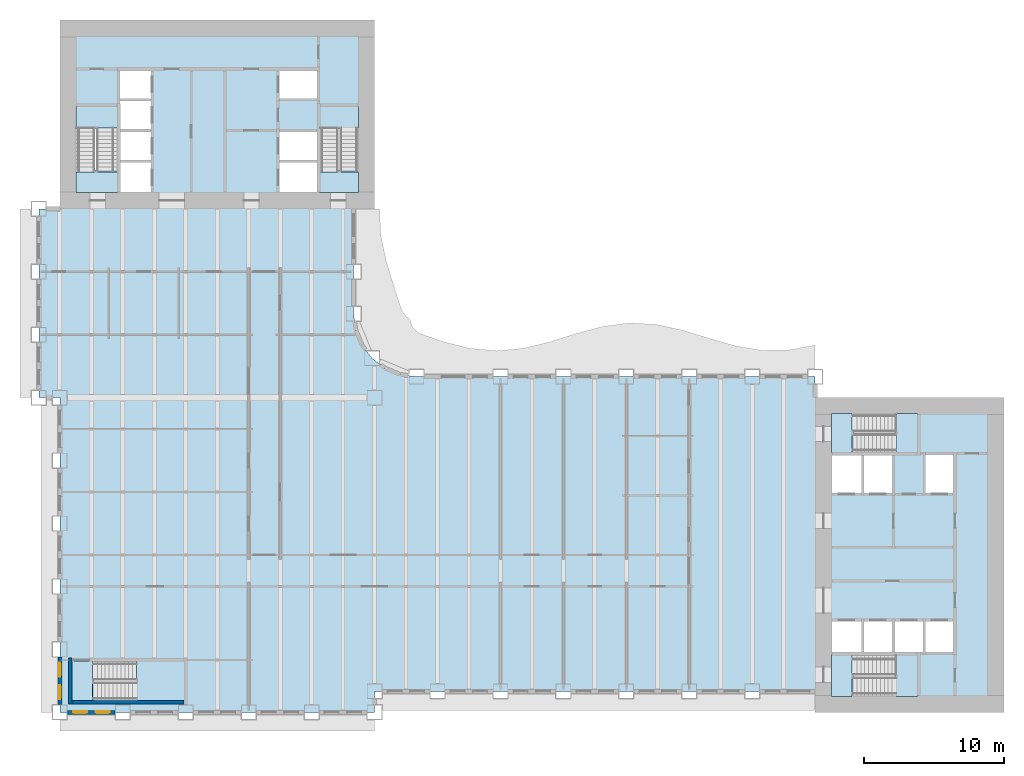
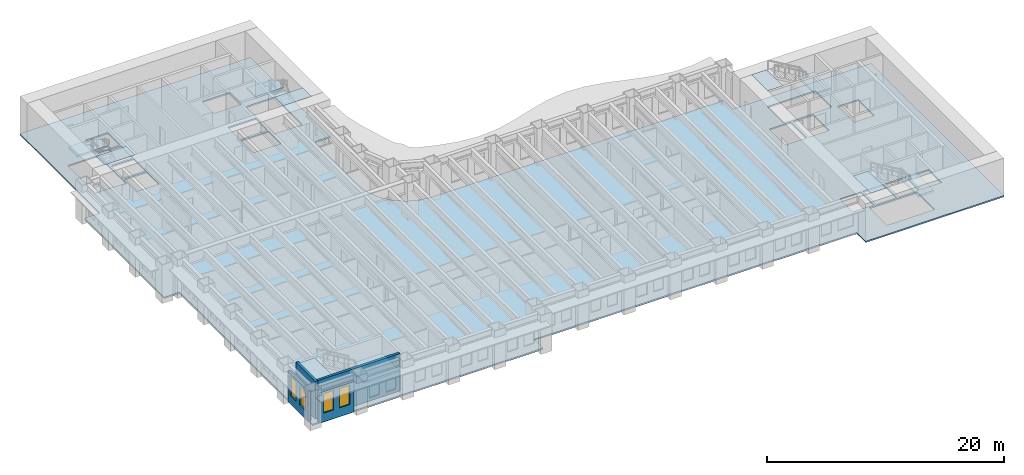
# One storey, part 2 of 15: 11 slabs, 4 walls, 4 windows, 4 openings, 5 elements without a shape of their own.
"""IFC4 building model written with IfcOpenShell, lengths in metres."""

from ifc_helpers import new_model, si_unit, direction, frame, frame_2d, origin, place, context, subcontext, project, spatial, polyline, rectangle, outline, extrude, material, layer, layer_set, type_object, element, fill, aggregate, save


model = new_model("IFC4")

# Units and contexts
model_context = context("Model", 3, precision=1e-05, world=origin(), true_north=direction((0.0, 1.0)))
body_context = subcontext(model_context, "Body", "Model", "MODEL_VIEW")
ifc_project = project(units=[si_unit("LENGTHUNIT", "METRE"), si_unit("AREAUNIT", "SQUARE_METRE"), si_unit("VOLUMEUNIT", "CUBIC_METRE"), si_unit("PLANEANGLEUNIT", "RADIAN"), si_unit("MASSUNIT", "GRAM", prefix="KILO")], contexts=[model_context])

# Site, building, storey
site_placement = place(None, origin())
site = spatial("IfcSite", under=ifc_project, at=site_placement, CompositionType="ELEMENT")
building_placement = place(site_placement, origin())
building = spatial("IfcBuilding", under=site, at=building_placement, Name="Sennacour Bend Tower", CompositionType="ELEMENT")
storey_placement = place(building_placement, frame((0.0, 0.0, 61.0)))
storey = spatial("IfcBuildingStorey", under=building, at=storey_placement, Name="L13", CompositionType="ELEMENT", Elevation=61.0)

# Slabs
ifc_material_1 = material(Name="Concrete C30/37", Category="concrete")
ifc_layer_1 = layer(ifc_material_1, 0.14990234375, Name="Concrete C30/37", Category="concrete")
ifc_layer_set_1 = layer_set([ifc_layer_1], Name="Concrete C30/37")
slab_type_1 = type_object("IfcSlabType", Name="Floor slab 150", PredefinedType="FLOOR", material=ifc_layer_set_1)
slab_1_placement = place(storey_placement, frame((0.0, 0.0, -0.14990234375)))
element("IfcSlab", 1, at=slab_1_placement, inside=storey, type_object=slab_type_1, Name="Floor slab L13-01", PredefinedType="FLOOR", context=body_context, shape_type="SweptSolid", body=[
    extrude(outline(polyline([(0.0, 22.5), (-1.5, 22.5), (-1.5, 36.0), (0.0, 36.0), (0.0, 49.5), (22.5, 49.5), (22.5, 36.0), (21.0, 36.0), (21.0, 28.5), (21.1533203125, 27.335205078125), (21.602783203125, 26.25), (22.318115234375, 25.318115234375), (23.25, 24.602783203125), (24.335205078125, 24.1533203125), (25.5, 24.0), (54.0, 24.0), (54.0, 22.5), (67.5, 22.5), (67.5, 0.0), (54.0, 0.0), (54.0, 1.5), (22.5, 1.5), (22.5, 0.0), (0.0, 0.0), (0.0, 22.5)]), holes=[polyline([(8.800048828125, 0.949951171875), (8.800048828125, 3.5), (2.429931640625, 3.5), (2.429931640625, 0.949951171875), (8.800048828125, 0.949951171875)]), polyline([(6.5, 37.199951171875), (6.5, 39.300048828125), (4.300048828125, 39.300048828125), (4.300048828125, 37.199951171875), (6.5, 37.199951171875)]), polyline([(18.39990234375, 37.199951171875), (18.39990234375, 39.300048828125), (15.699951171875, 39.300048828125), (15.699951171875, 37.199951171875), (18.39990234375, 37.199951171875)]), polyline([(6.5, 39.5), (6.5, 41.5), (4.300048828125, 41.5), (4.300048828125, 39.5), (6.5, 39.5)]), polyline([(18.39990234375, 39.5), (18.39990234375, 41.5), (15.699951171875, 41.5), (15.699951171875, 39.5), (18.39990234375, 39.5)]), polyline([(4.125, 38.72998046875), (4.125, 43.39990234375), (1.14990234375, 43.39990234375), (1.14990234375, 38.72998046875), (4.125, 38.72998046875)]), polyline([(21.35009765625, 38.72998046875), (21.35009765625, 43.39990234375), (18.574951171875, 43.39990234375), (18.574951171875, 38.72998046875), (21.35009765625, 38.72998046875)]), polyline([(4.300048828125, 41.699951171875), (6.5, 41.699951171875), (6.5, 43.699951171875), (4.300048828125, 43.699951171875), (4.300048828125, 41.699951171875)]), polyline([(4.300048828125, 43.89990234375), (6.5, 43.89990234375), (6.5, 45.89990234375), (4.300048828125, 45.89990234375), (4.300048828125, 43.89990234375)]), polyline([(18.39990234375, 43.89990234375), (18.39990234375, 45.89990234375), (15.699951171875, 45.89990234375), (15.699951171875, 43.89990234375), (18.39990234375, 43.89990234375)]), polyline([(61.39990234375, 1.14990234375), (61.39990234375, 4.125), (56.72998046875, 4.125), (56.72998046875, 1.14990234375), (61.39990234375, 1.14990234375)]), polyline([(57.300048828125, 4.300048828125), (57.300048828125, 6.5), (55.199951171875, 6.5), (55.199951171875, 4.300048828125), (57.300048828125, 4.300048828125)]), polyline([(57.5, 4.300048828125), (59.5, 4.300048828125), (59.5, 6.5), (57.5, 6.5), (57.5, 4.300048828125)]), polyline([(59.699951171875, 4.300048828125), (61.699951171875, 4.300048828125), (61.699951171875, 6.5), (59.699951171875, 6.5), (59.699951171875, 4.300048828125)]), polyline([(63.89990234375, 4.300048828125), (63.89990234375, 6.5), (61.89990234375, 6.5), (61.89990234375, 4.300048828125), (63.89990234375, 4.300048828125)]), polyline([(57.300048828125, 15.699951171875), (57.300048828125, 18.39990234375), (55.199951171875, 18.39990234375), (55.199951171875, 15.699951171875), (57.300048828125, 15.699951171875)]), polyline([(59.5, 15.699951171875), (59.5, 18.39990234375), (57.5, 18.39990234375), (57.5, 15.699951171875), (59.5, 15.699951171875)]), polyline([(61.89990234375, 15.699951171875), (63.89990234375, 15.699951171875), (63.89990234375, 18.39990234375), (61.89990234375, 18.39990234375), (61.89990234375, 15.699951171875)]), polyline([(56.72998046875, 18.574951171875), (61.39990234375, 18.574951171875), (61.39990234375, 21.35009765625), (56.72998046875, 21.35009765625), (56.72998046875, 18.574951171875)])]), origin(), (0.0, 0.0, 1.0), 0.14990234375),
])
ifc_material_2 = material(Name="Concrete C40/50", Category="concrete")
ifc_layer_2 = layer(ifc_material_2, 0.034912109375, Name="Concrete C40/50", Category="concrete")
ifc_layer_set_2 = layer_set([ifc_layer_2], Name="Concrete C40/50")
slab_type_2 = type_object("IfcSlabType", Name="Stair arrival nib 35", PredefinedType="FLOOR", material=ifc_layer_set_2)
slab_2_placement = place(storey_placement, frame((0.0, 0.0, 3.815185546875)))
element("IfcSlab", 2, at=slab_2_placement, inside=storey, type_object=slab_type_2, Name="L13 SA1 stair arrival nib", PredefinedType="FLOOR", context=body_context, shape_type="SweptSolid", body=[
    extrude(outline(polyline([(56.64208984375, 4.125), (55.14990234375, 4.125), (55.14990234375, 1.14990234375), (56.64208984375, 1.14990234375), (56.64208984375, 4.125)])), origin(), (0.0, 0.0, 1.0), 0.034912109375),
])
slab_3_placement = place(storey_placement, frame((0.0, 0.0, 3.815185546875)))
element("IfcSlab", 3, at=slab_3_placement, inside=storey, type_object=slab_type_2, Name="L13 SA2 stair arrival nib", PredefinedType="FLOOR", context=body_context, shape_type="SweptSolid", body=[
    extrude(outline(polyline([(56.64208984375, 21.35009765625), (55.14990234375, 21.35009765625), (55.14990234375, 18.574951171875), (56.64208984375, 18.574951171875), (56.64208984375, 21.35009765625)])), origin(), (0.0, 0.0, 1.0), 0.034912109375),
])
slab_4_placement = place(storey_placement, frame((0.0, 0.0, 3.815185546875)))
element("IfcSlab", 4, at=slab_4_placement, inside=storey, type_object=slab_type_2, Name="L13 SB1 stair arrival nib", PredefinedType="FLOOR", context=body_context, shape_type="SweptSolid", body=[
    extrude(outline(polyline([(1.14990234375, 38.64208984375), (1.14990234375, 37.14990234375), (4.125, 37.14990234375), (4.125, 38.64208984375), (1.14990234375, 38.64208984375)])), origin(), (0.0, 0.0, 1.0), 0.034912109375),
])
slab_5_placement = place(storey_placement, frame((0.0, 0.0, 3.815185546875)))
element("IfcSlab", 5, at=slab_5_placement, inside=storey, type_object=slab_type_2, Name="L13 SB2 stair arrival nib", PredefinedType="FLOOR", context=body_context, shape_type="SweptSolid", body=[
    extrude(outline(polyline([(18.574951171875, 38.64208984375), (18.574951171875, 37.14990234375), (21.35009765625, 37.14990234375), (21.35009765625, 38.64208984375), (18.574951171875, 38.64208984375)])), origin(), (0.0, 0.0, 1.0), 0.034912109375),
])
slab_6_placement = place(storey_placement, frame((0.0, 0.0, 3.815185546875)))
element("IfcSlab", 6, at=slab_6_placement, inside=storey, type_object=slab_type_2, Name="L13 SK1 stair arrival nib", PredefinedType="FLOOR", context=body_context, shape_type="SweptSolid", body=[
    extrude(outline(polyline([(2.342041015625, 3.675048828125), (0.800048828125, 3.675048828125), (0.800048828125, 0.800048828125), (2.342041015625, 0.800048828125), (2.342041015625, 3.675048828125)])), origin(), (0.0, 0.0, 1.0), 0.034912109375),
])

# Stair, slab
stair_type = type_object("IfcStairType", Name="ST-DOGLEG", PredefinedType="HALF_TURN_STAIR", material=ifc_material_2)
stair_1_placement = place(storey_placement, origin())
stair_1 = element("IfcStair", 7, at=stair_1_placement, inside=storey, type_object=stair_type, Name="L13 Exit stair A1", PredefinedType="HALF_TURN_STAIR")
ifc_layer_3 = layer(ifc_material_2, 0.199951171875, Name="Concrete C40/50", Category="concrete")
ifc_layer_set_3 = layer_set([ifc_layer_3], Name="Concrete C40/50")
slab_type_3 = type_object("IfcSlabType", Name="Stair landing 200", PredefinedType="LANDING", material=ifc_layer_set_3)
slab_7_placement = place(storey_placement, frame((0.0, 0.0, 1.800048828125)))
slab_7 = element("IfcSlab", 8, at=slab_7_placement, type_object=slab_type_3, Name="SA1 landing 1", PredefinedType="LANDING", context=body_context, shape_type="SweptSolid", body=[
    extrude(outline(polyline([(59.780029296875, 1.14990234375), (61.324951171875, 1.14990234375), (61.324951171875, 4.125), (59.780029296875, 4.125), (59.780029296875, 1.14990234375)])), origin(), (0.0, 0.0, 1.0), 0.199951171875),
])
aggregate(stair_1, [slab_7])

stair_2_placement = place(storey_placement, origin())
stair_2 = element("IfcStair", 9, at=stair_2_placement, inside=storey, type_object=stair_type, Name="L13 Exit stair A2", PredefinedType="HALF_TURN_STAIR")
slab_8_placement = place(storey_placement, frame((0.0, 0.0, 1.800048828125)))
slab_8 = element("IfcSlab", 10, at=slab_8_placement, type_object=slab_type_3, Name="SA2 landing 1", PredefinedType="LANDING", context=body_context, shape_type="SweptSolid", body=[
    extrude(outline(polyline([(59.780029296875, 18.574951171875), (61.324951171875, 18.574951171875), (61.324951171875, 21.35009765625), (59.780029296875, 21.35009765625), (59.780029296875, 18.574951171875)])), origin(), (0.0, 0.0, 1.0), 0.199951171875),
])
aggregate(stair_2, [slab_8])

stair_3_placement = place(storey_placement, origin())
stair_3 = element("IfcStair", 11, at=stair_3_placement, inside=storey, type_object=stair_type, Name="L13 Exit stair B1", PredefinedType="HALF_TURN_STAIR")
slab_9_placement = place(storey_placement, frame((0.0, 0.0, 1.800048828125)))
slab_9 = element("IfcSlab", 12, at=slab_9_placement, type_object=slab_type_3, Name="SB1 landing 1", PredefinedType="LANDING", context=body_context, shape_type="SweptSolid", body=[
    extrude(outline(polyline([(1.14990234375, 41.780029296875), (4.125, 41.780029296875), (4.125, 43.324951171875), (1.14990234375, 43.324951171875), (1.14990234375, 41.780029296875)])), origin(), (0.0, 0.0, 1.0), 0.199951171875),
])
aggregate(stair_3, [slab_9])

stair_4_placement = place(storey_placement, origin())
stair_4 = element("IfcStair", 13, at=stair_4_placement, inside=storey, type_object=stair_type, Name="L13 Exit stair B2", PredefinedType="HALF_TURN_STAIR")
slab_10_placement = place(storey_placement, frame((0.0, 0.0, 1.800048828125)))
slab_10 = element("IfcSlab", 14, at=slab_10_placement, type_object=slab_type_3, Name="SB2 landing 1", PredefinedType="LANDING", context=body_context, shape_type="SweptSolid", body=[
    extrude(outline(polyline([(18.574951171875, 41.780029296875), (21.35009765625, 41.780029296875), (21.35009765625, 43.324951171875), (18.574951171875, 43.324951171875), (18.574951171875, 41.780029296875)])), origin(), (0.0, 0.0, 1.0), 0.199951171875),
])
aggregate(stair_4, [slab_10])

stair_5_placement = place(storey_placement, origin())
stair_5 = element("IfcStair", 15, at=stair_5_placement, inside=storey, type_object=stair_type, Name="L13 Exit stair K1", PredefinedType="HALF_TURN_STAIR")
slab_11_placement = place(storey_placement, frame((0.0, 0.0, 1.800048828125)))
slab_11 = element("IfcSlab", 16, at=slab_11_placement, type_object=slab_type_3, Name="SK1 landing 1", PredefinedType="LANDING", context=body_context, shape_type="SweptSolid", body=[
    extrude(outline(polyline([(5.47998046875, 0.800048828125), (8.925048828125, 0.800048828125), (8.925048828125, 3.675048828125), (5.47998046875, 3.675048828125), (5.47998046875, 0.800048828125)])), origin(), (0.0, 0.0, 1.0), 0.199951171875),
])
aggregate(stair_5, [slab_11])

# Wall, openings, windows
ifc_material_3 = material(Name="Warm limestone cladding", Category="masonry")
ifc_layer_4 = layer(ifc_material_3, 0.050048828125, Name="Warm limestone cladding", Category="masonry")
ifc_material_4 = material(Name="Precast concrete C40/50", Category="concrete")
ifc_layer_5 = layer(ifc_material_4, 0.25, Name="Precast concrete C40/50", Category="concrete")
ifc_layer_set_4 = layer_set([ifc_layer_4, ifc_layer_5], Name="Precast concrete C40/50 with limestone cladding")
wall_type_1 = type_object("IfcWallType", Name="STONE-CLAD PRECAST SPANDREL 300", PredefinedType="STANDARD", material=ifc_layer_set_4)
wall_1_placement = place(storey_placement, frame((0.550048828125, 0.0, 0.0), z_axis=(0.0, 0.0, 1.0), x_axis=(1.0, 0.0, 0.0)))
wall_1 = element("IfcWall", 17, at=wall_1_placement, inside=storey, type_object=wall_type_1, Name="Stone spandrel and pier wall L13 00.00", PredefinedType="STANDARD", context=body_context, shape_type="SweptSolid", body=[
    extrude(rectangle(XDim=3.39990234375, YDim=0.300048828125, at=frame_2d((1.699951171875, 0.0))), origin(), (0.0, 0.0, 1.0), 3.14404296875),
])
opening_1_placement = place(wall_1_placement, frame((0.39990234375, 0.0, 0.89990234375)))
opening_1 = element("IfcOpeningElement", 18, at=opening_1_placement, cuts=wall_1, Name="Opening W8", PredefinedType="OPENING", context=body_context, shape_type="SweptSolid", body=[
    extrude(rectangle(XDim=1.0, YDim=2.0, at=frame_2d((0.5, 1.0))), frame((0.0, 0.16015625, 0.0), z_axis=(0.0, -1.0, 0.0), x_axis=(1.0, 0.0, 0.0)), (0.0, 0.0, 1.0), 0.320068359375),
])
opening_2_placement = place(wall_1_placement, frame((2.0, 0.0, 0.89990234375)))
opening_2 = element("IfcOpeningElement", 19, at=opening_2_placement, cuts=wall_1, Name="Opening W8", PredefinedType="OPENING", context=body_context, shape_type="SweptSolid", body=[
    extrude(rectangle(XDim=1.0, YDim=2.0, at=frame_2d((0.5, 1.0))), frame((0.0, 0.16015625, 0.0), z_axis=(0.0, -1.0, 0.0), x_axis=(1.0, 0.0, 0.0)), (0.0, 0.0, 1.0), 0.320068359375),
])
ifc_material_5 = material(Name="Clear low-emissivity glass", Category="glass")
window_type = type_object("IfcWindowType", Name="WIN-RIBBON-1000x2000", PartitioningType="SINGLE_PANEL", PredefinedType="WINDOW", material=ifc_material_5)
window_1_placement = place(opening_1_placement, origin())
window_1 = element("IfcWindow", 20, at=window_1_placement, inside=storey, type_object=window_type, Name="Ribbon window L13 00.00.0", OverallHeight=2.0, OverallWidth=1.0, PartitioningType="SINGLE_PANEL", PredefinedType="WINDOW", context=body_context, shape_type="SweptSolid", body=[
    extrude(rectangle(XDim=1.0, YDim=2.0, at=frame_2d((0.5, 1.0))), frame((0.0, 0.030029296875, 0.0), z_axis=(0.0, -1.0, 0.0), x_axis=(1.0, 0.0, 0.0)), (0.0, 0.0, 1.0), 0.06005859375),
])
fill(opening_1, window_1)
window_2_placement = place(opening_2_placement, origin())
window_2 = element("IfcWindow", 21, at=window_2_placement, inside=storey, type_object=window_type, Name="Ribbon window L13 00.00.1", OverallHeight=2.0, OverallWidth=1.0, PartitioningType="SINGLE_PANEL", PredefinedType="WINDOW", context=body_context, shape_type="SweptSolid", body=[
    extrude(rectangle(XDim=1.0, YDim=2.0, at=frame_2d((0.5, 1.0))), frame((0.0, 0.030029296875, 0.0), z_axis=(0.0, -1.0, 0.0), x_axis=(1.0, 0.0, 0.0)), (0.0, 0.0, 1.0), 0.06005859375),
])
fill(opening_2, window_2)

wall_2_placement = place(storey_placement, frame((0.0, 3.949951171875, 0.0), z_axis=(0.0, 0.0, 1.0), x_axis=(0.0, -1.0, 0.0)))
wall_2 = element("IfcWall", 22, at=wall_2_placement, inside=storey, type_object=wall_type_1, Name="Stone spandrel and pier wall L13 23.04", PredefinedType="STANDARD", context=body_context, shape_type="SweptSolid", body=[
    extrude(rectangle(XDim=3.39990234375, YDim=0.300048828125, at=frame_2d((1.699951171875, 0.0))), origin(), (0.0, 0.0, 1.0), 3.14404296875),
])
opening_3_placement = place(wall_2_placement, frame((0.39990234375, 0.0, 0.89990234375)))
opening_3 = element("IfcOpeningElement", 23, at=opening_3_placement, cuts=wall_2, Name="Opening W8", PredefinedType="OPENING", context=body_context, shape_type="SweptSolid", body=[
    extrude(rectangle(XDim=1.0, YDim=2.0, at=frame_2d((0.5, 1.0))), frame((0.0, 0.16015625, 0.0), z_axis=(0.0, -1.0, 0.0), x_axis=(1.0, 0.0, 0.0)), (0.0, 0.0, 1.0), 0.320068359375),
])
opening_4_placement = place(wall_2_placement, frame((2.0, 0.0, 0.89990234375)))
opening_4 = element("IfcOpeningElement", 24, at=opening_4_placement, cuts=wall_2, Name="Opening W8", PredefinedType="OPENING", context=body_context, shape_type="SweptSolid", body=[
    extrude(rectangle(XDim=1.0, YDim=2.0, at=frame_2d((0.5, 1.0))), frame((0.0, 0.16015625, 0.0), z_axis=(0.0, -1.0, 0.0), x_axis=(1.0, 0.0, 0.0)), (0.0, 0.0, 1.0), 0.320068359375),
])
window_3_placement = place(opening_3_placement, origin())
window_3 = element("IfcWindow", 25, at=window_3_placement, inside=storey, type_object=window_type, Name="Ribbon window L13 23.04.0", OverallHeight=2.0, OverallWidth=1.0, PartitioningType="SINGLE_PANEL", PredefinedType="WINDOW", context=body_context, shape_type="SweptSolid", body=[
    extrude(rectangle(XDim=1.0, YDim=2.0, at=frame_2d((0.5, 1.0))), frame((0.0, 0.030029296875, 0.0), z_axis=(0.0, -1.0, 0.0), x_axis=(1.0, 0.0, 0.0)), (0.0, 0.0, 1.0), 0.06005859375),
])
fill(opening_3, window_3)
window_4_placement = place(opening_4_placement, origin())
window_4 = element("IfcWindow", 26, at=window_4_placement, inside=storey, type_object=window_type, Name="Ribbon window L13 23.04.1", OverallHeight=2.0, OverallWidth=1.0, PartitioningType="SINGLE_PANEL", PredefinedType="WINDOW", context=body_context, shape_type="SweptSolid", body=[
    extrude(rectangle(XDim=1.0, YDim=2.0, at=frame_2d((0.5, 1.0))), frame((0.0, 0.030029296875, 0.0), z_axis=(0.0, -1.0, 0.0), x_axis=(1.0, 0.0, 0.0)), (0.0, 0.0, 1.0), 0.06005859375),
])
fill(opening_4, window_4)

# Walls
ifc_material_6 = material(Name="Concrete C60/75", Category="concrete")
ifc_layer_6 = layer(ifc_material_6, 0.25, Name="Concrete C60/75", Category="concrete")
ifc_layer_set_5 = layer_set([ifc_layer_6], Name="Concrete C60/75")
wall_type_2 = type_object("IfcWallType", Name="Stair wall 250", PredefinedType="SHEAR", material=ifc_layer_set_5)
wall_3_placement = place(storey_placement, frame((0.72509765625, 0.60009765625, 0.0), z_axis=(0.0, 0.0, 1.0), x_axis=(0.0, 1.0, 0.0)))
element("IfcWall", 27, at=wall_3_placement, inside=storey, type_object=wall_type_2, Name="P-L13-W003", PredefinedType="SHEAR", context=body_context, shape_type="SweptSolid", body=[
    extrude(rectangle(XDim=3.27490234375, YDim=0.25, at=frame_2d((1.637451171875, 0.0))), origin(), (0.0, 0.0, 1.0), 3.85009765625),
])
wall_4_placement = place(storey_placement, frame((0.85009765625, 0.72509765625, 0.0), z_axis=(0.0, 0.0, 1.0), x_axis=(1.0, 0.0, 0.0)))
element("IfcWall", 28, at=wall_4_placement, inside=storey, type_object=wall_type_2, Name="P-L13-W043", PredefinedType="SHEAR", context=body_context, shape_type="SweptSolid", body=[
    extrude(rectangle(XDim=8.02490234375, YDim=0.25, at=frame_2d((4.012451171875, 0.0))), origin(), (0.0, 0.0, 1.0), 3.85009765625),
])

save(model, "model.ifc")
